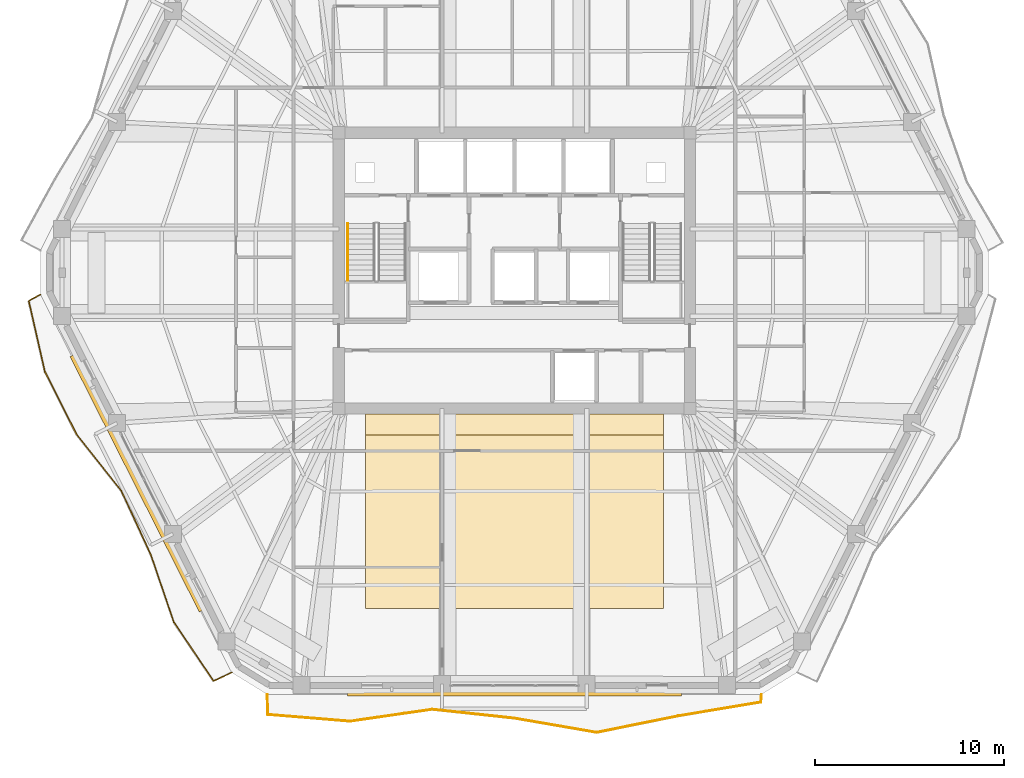
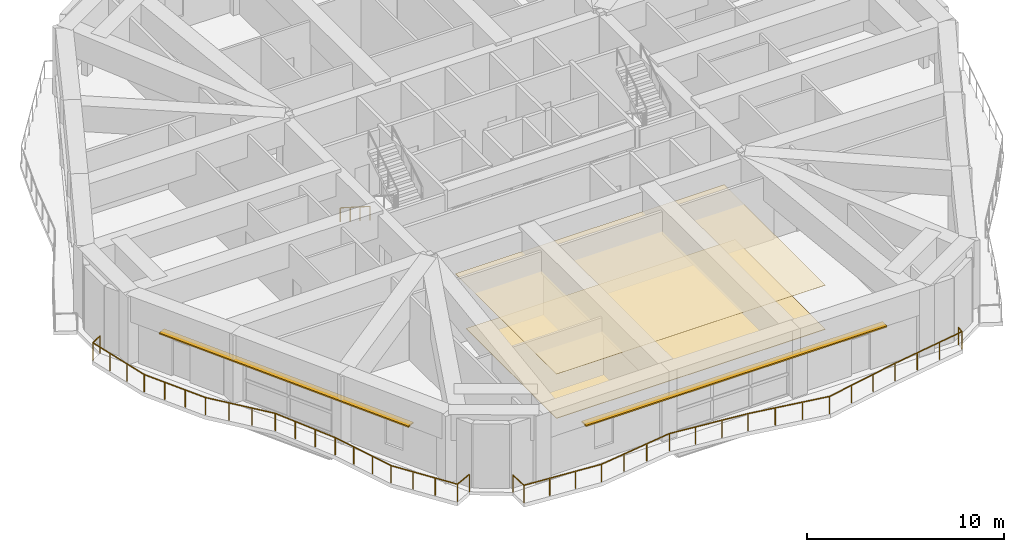
# One storey, part 18 of 20: 3 railings, 2 coverings, 2 shading devices.
"""IFC4 building model written with IfcOpenShell, lengths in metres."""

from ifc_helpers import new_model, si_unit, direction, frame, origin, origin_2d, place, context, subcontext, project, spatial, polyline, rectangle, outline, extrude, material, layer, layer_set, type_object, element, save


model = new_model("IFC4")

# Units and contexts
model_context = context("Model", 3, precision=1e-05, world=origin(), true_north=direction((0.0, 1.0)))
body_context = subcontext(model_context, "Body", "Model", "MODEL_VIEW")
ifc_project = project(units=[si_unit("LENGTHUNIT", "METRE"), si_unit("AREAUNIT", "SQUARE_METRE"), si_unit("VOLUMEUNIT", "CUBIC_METRE"), si_unit("PLANEANGLEUNIT", "RADIAN"), si_unit("MASSUNIT", "GRAM", prefix="KILO")], contexts=[model_context])

# Site, building, storey
site_placement = place(None, origin())
site = spatial("IfcSite", under=ifc_project, at=site_placement, CompositionType="ELEMENT")
building_placement = place(site_placement, origin())
building = spatial("IfcBuilding", under=site, at=building_placement, Name="Cinnabar Lancet Tower", CompositionType="ELEMENT")
storey_placement = place(building_placement, frame((0.0, 0.0, 167.699951171875)))
storey = spatial("IfcBuildingStorey", under=building, at=storey_placement, Name="L44", CompositionType="ELEMENT", Elevation=167.699951171875)

# Coverings
ifc_material_1 = material(Name="Acoustic perforated gypsum ceiling board", Category="finish")
ifc_layer_1 = layer(ifc_material_1, 0.01806640625)
ifc_layer_set_1 = layer_set([ifc_layer_1], Name="Acoustic perforated gypsum ceiling board")
covering_type_1 = type_object("IfcCoveringType", Name="ARC-COV-CEIL-GYP", PredefinedType="CEILING", material=ifc_layer_set_1)
covering_1_placement = place(storey_placement, frame((0.0, 0.0, 2.75)))
element("IfcCovering", 1, at=covering_1_placement, inside=storey, type_object=covering_type_1, Name="L44 Suspended Acoustic Ceiling", PredefinedType="CEILING", context=body_context, shape_type="SweptSolid", body=[
    extrude(outline(polyline([(24.5, 8.0), (40.300048828125, 8.0), (40.300048828125, 18.300048828125), (24.5, 18.300048828125), (24.5, 8.0)])), origin(), (0.0, 0.0, 1.0), 0.01806640625),
])
ifc_material_2 = material(Name="Honed Malaysian granite stone flooring", Category="masonry")
ifc_layer_2 = layer(ifc_material_2, 0.030029296875)
ifc_layer_set_2 = layer_set([ifc_layer_2], Name="Honed Malaysian granite stone flooring")
covering_type_2 = type_object("IfcCoveringType", Name="ARC-COV-FLR-STN", PredefinedType="FLOORING", material=ifc_layer_set_2)
covering_2_placement = place(storey_placement, origin())
element("IfcCovering", 2, at=covering_2_placement, inside=storey, type_object=covering_type_2, Name="L44 Architectural Floor Finish", PredefinedType="FLOORING", context=body_context, shape_type="SweptSolid", body=[
    extrude(outline(polyline([(24.5, 8.0), (40.300048828125, 8.0), (40.300048828125, 17.199951171875), (24.5, 17.199951171875), (24.5, 8.0)])), origin(), (0.0, 0.0, 1.0), 0.030029296875),
])

# Railings
ifc_material_3 = material(Name="Laminated safety glass and bronze stainless steel balustrade", Category="steel")
railing_type_1 = type_object("IfcRailingType", Name="ENV-RLG-BAL-1100", PredefinedType="BALUSTRADE", material=ifc_material_3)
railing_1_placement = place(storey_placement, frame((19.30810546875, 3.449951171875, 0.0)))
element("IfcRailing", 3, at=railing_1_placement, inside=storey, type_object=railing_type_1, Name="L44 Face 1 Wave Balcony Balustrade", PredefinedType="BALUSTRADE", context=body_context, shape_type="SweptSolid", body=[
    extrude(rectangle(XDim=0.048095703125, YDim=0.048095703125, at=origin_2d()), frame((0.0, 0.0, 1.076171875), z_axis=(0.031791701999, -0.999494516085, 0.0), x_axis=(0.999494516085, 0.031791701999, 0.0)), (0.0, 0.0, 1.0), 1.0673828125),
    extrude(rectangle(XDim=0.048095703125, YDim=0.048095703125, at=origin_2d()), frame((0.033935546875, -1.06689453125, 1.076171875), z_axis=(0.996652073742, -0.081759671632, 0.0), x_axis=(0.081759671632, 0.996652073742, 0.0)), (0.0, 0.0, 1.0), 4.36865234375),
    extrude(rectangle(XDim=0.048095703125, YDim=0.048095703125, at=origin_2d()), frame((4.387939453125, -1.424072265625, 1.076171875), z_axis=(0.989653175702, 0.143480283746, 0.0), x_axis=(-0.143480283746, 0.989653175702, 0.0)), (0.0, 0.0, 1.0), 4.3984375),
    extrude(rectangle(XDim=0.048095703125, YDim=0.048095703125, at=origin_2d()), frame((8.740966796875, -0.79296875, 1.076171875), z_axis=(0.994240353079, -0.10717331902, 0.0), x_axis=(0.10717331902, 0.994240353079, 0.0)), (0.0, 0.0, 1.0), 4.3759765625),
    extrude(rectangle(XDim=0.048095703125, YDim=0.048095703125, at=origin_2d()), frame((13.091796875, -1.261962890625, 1.076171875), z_axis=(0.985325130165, -0.170687983953, 0.0), x_axis=(0.170687983953, 0.985325130165, 0.0)), (0.0, 0.0, 1.0), 4.416748046875),
    extrude(rectangle(XDim=0.048095703125, YDim=0.048095703125, at=origin_2d()), frame((17.44384765625, -2.015869140625, 1.076171875), z_axis=(0.980168254894, 0.198167081266, 0.0), x_axis=(-0.198167081266, 0.980168254894, 0.0)), (0.0, 0.0, 1.0), 4.440185546875),
    extrude(rectangle(XDim=0.048095703125, YDim=0.048095703125, at=origin_2d()), frame((21.7958984375, -1.135986328125, 1.076171875), z_axis=(0.986337050863, 0.164739861888, 0.0), x_axis=(-0.164739861888, 0.986337050863, 0.0)), (0.0, 0.0, 1.0), 4.413330078125),
    extrude(rectangle(XDim=0.048095703125, YDim=0.048095703125, at=origin_2d()), frame((26.14892578125, -0.408935546875, 1.076171875), z_axis=(0.085063700681, 0.996375514967, 0.0), x_axis=(-0.996375514967, 0.085063700681, 0.0)), (0.0, 0.0, 1.0), 0.410400390625),
    extrude(rectangle(XDim=0.0419921875, YDim=0.0419921875, at=origin_2d()), origin(), (0.0, 0.0, 1.0), 1.052001953125),
    extrude(rectangle(XDim=0.0419921875, YDim=0.0419921875, at=origin_2d()), frame((0.033935546875, -1.06689453125, 0.0)), (0.0, 0.0, 1.0), 1.052001953125),
    extrude(rectangle(XDim=0.0419921875, YDim=0.0419921875, at=origin_2d()), frame((1.4853515625, -1.18603515625, 0.0)), (0.0, 0.0, 1.0), 1.052001953125),
    extrude(rectangle(XDim=0.0419921875, YDim=0.0419921875, at=origin_2d()), frame((2.9365234375, -1.304931640625, 0.0)), (0.0, 0.0, 1.0), 1.052001953125),
    extrude(rectangle(XDim=0.0419921875, YDim=0.0419921875, at=origin_2d()), frame((4.387939453125, -1.424072265625, 0.0)), (0.0, 0.0, 1.0), 1.052001953125),
    extrude(rectangle(XDim=0.0419921875, YDim=0.0419921875, at=origin_2d()), frame((5.8388671875, -1.213623046875, 0.0)), (0.0, 0.0, 1.0), 1.052001953125),
    extrude(rectangle(XDim=0.0419921875, YDim=0.0419921875, at=origin_2d()), frame((7.2900390625, -1.00341796875, 0.0)), (0.0, 0.0, 1.0), 1.052001953125),
    extrude(rectangle(XDim=0.0419921875, YDim=0.0419921875, at=origin_2d()), frame((8.740966796875, -0.79296875, 0.0)), (0.0, 0.0, 1.0), 1.052001953125),
    extrude(rectangle(XDim=0.0419921875, YDim=0.0419921875, at=origin_2d()), frame((10.191162109375, -0.94921875, 0.0)), (0.0, 0.0, 1.0), 1.052001953125),
    extrude(rectangle(XDim=0.0419921875, YDim=0.0419921875, at=origin_2d()), frame((11.6416015625, -1.105712890625, 0.0)), (0.0, 0.0, 1.0), 1.052001953125),
    extrude(rectangle(XDim=0.0419921875, YDim=0.0419921875, at=origin_2d()), frame((13.091796875, -1.261962890625, 0.0)), (0.0, 0.0, 1.0), 1.052001953125),
    extrude(rectangle(XDim=0.0419921875, YDim=0.0419921875, at=origin_2d()), frame((14.54248046875, -1.51318359375, 0.0)), (0.0, 0.0, 1.0), 1.052001953125),
    extrude(rectangle(XDim=0.0419921875, YDim=0.0419921875, at=origin_2d()), frame((15.9931640625, -1.7646484375, 0.0)), (0.0, 0.0, 1.0), 1.052001953125),
    extrude(rectangle(XDim=0.0419921875, YDim=0.0419921875, at=origin_2d()), frame((17.44384765625, -2.015869140625, 0.0)), (0.0, 0.0, 1.0), 1.052001953125),
    extrude(rectangle(XDim=0.0419921875, YDim=0.0419921875, at=origin_2d()), frame((18.89453125, -1.72265625, 0.0)), (0.0, 0.0, 1.0), 1.052001953125),
    extrude(rectangle(XDim=0.0419921875, YDim=0.0419921875, at=origin_2d()), frame((20.34521484375, -1.42919921875, 0.0)), (0.0, 0.0, 1.0), 1.052001953125),
    extrude(rectangle(XDim=0.0419921875, YDim=0.0419921875, at=origin_2d()), frame((21.7958984375, -1.135986328125, 0.0)), (0.0, 0.0, 1.0), 1.052001953125),
    extrude(rectangle(XDim=0.0419921875, YDim=0.0419921875, at=origin_2d()), frame((23.246826171875, -0.8935546875, 0.0)), (0.0, 0.0, 1.0), 1.052001953125),
    extrude(rectangle(XDim=0.0419921875, YDim=0.0419921875, at=origin_2d()), frame((24.697998046875, -0.6513671875, 0.0)), (0.0, 0.0, 1.0), 1.052001953125),
    extrude(rectangle(XDim=0.0419921875, YDim=0.0419921875, at=origin_2d()), frame((26.14892578125, -0.408935546875, 0.0)), (0.0, 0.0, 1.0), 1.052001953125),
    extrude(rectangle(XDim=0.0419921875, YDim=0.0419921875, at=origin_2d()), frame((26.183837890625, 0.0, 0.0)), (0.0, 0.0, 1.0), 1.052001953125),
])
railing_2_placement = place(storey_placement, frame((7.287109375, 24.639892578125, 0.0)))
element("IfcRailing", 4, at=railing_2_placement, inside=storey, type_object=railing_type_1, Name="L44 Face 6 Wave Balcony Balustrade", PredefinedType="BALUSTRADE", context=body_context, shape_type="SweptSolid", body=[
    extrude(rectangle(XDim=0.048095703125, YDim=0.048095703125, at=origin_2d()), frame((0.0, 0.0, 1.076171875), z_axis=(-0.87348582393, -0.486849581897, 0.0), x_axis=(0.486849581897, -0.87348582393, 0.0)), (0.0, 0.0, 1.0), 0.7041015625),
    extrude(rectangle(XDim=0.048095703125, YDim=0.048095703125, at=origin_2d()), frame((-0.614990234375, -0.3427734375, 1.076171875), z_axis=(0.222043720715, -0.975036710125, 0.0), x_axis=(0.975036710125, 0.222043720715, 0.0)), (0.0, 0.0, 1.0), 3.844970703125),
    extrude(rectangle(XDim=0.048095703125, YDim=0.048095703125, at=origin_2d()), frame((0.23876953125, -4.091796875, 1.076171875), z_axis=(0.4509775861, -0.892535274841, 0.0), x_axis=(0.892535274841, 0.4509775861, 0.0)), (0.0, 0.0, 1.0), 3.732177734375),
    extrude(rectangle(XDim=0.048095703125, YDim=0.048095703125, at=origin_2d()), frame((1.921875, -7.4228515625, 1.076171875), z_axis=(0.621868265716, -0.783121867972, 0.0), x_axis=(0.783121867972, 0.621868265716, 0.0)), (0.0, 0.0, 1.0), 3.807861328125),
    extrude(rectangle(XDim=0.048095703125, YDim=0.048095703125, at=origin_2d()), frame((4.289794921875, -10.40478515625, 1.076171875), z_axis=(0.419054029782, -0.907961298803, 0.0), x_axis=(0.907961298803, 0.419054029782, 0.0)), (0.0, 0.0, 1.0), 3.732666015625),
    extrude(rectangle(XDim=0.048095703125, YDim=0.048095703125, at=origin_2d()), frame((5.85400390625, -13.7939453125, 1.076171875), z_axis=(0.322787331152, -0.946471520357, 0.0), x_axis=(0.946471520357, 0.322787331152, 0.0)), (0.0, 0.0, 1.0), 3.769775390625),
    extrude(rectangle(XDim=0.048095703125, YDim=0.048095703125, at=origin_2d()), frame((7.07080078125, -17.36181640625, 1.076171875), z_axis=(0.559035847773, -0.829143486319, 0.0), x_axis=(0.829143486319, 0.559035847773, 0.0)), (0.0, 0.0, 1.0), 3.761962890625),
    extrude(rectangle(XDim=0.048095703125, YDim=0.048095703125, at=origin_2d()), frame((9.173828125, -20.48095703125, 1.076171875), z_axis=(0.905027245981, 0.425353598823, 0.0), x_axis=(-0.425353598823, 0.905027245981, 0.0)), (0.0, 0.0, 1.0), 1.060791015625),
    extrude(rectangle(XDim=0.0419921875, YDim=0.0419921875, at=origin_2d()), origin(), (0.0, 0.0, 1.0), 1.052001953125),
    extrude(rectangle(XDim=0.0419921875, YDim=0.0419921875, at=origin_2d()), frame((-0.614990234375, -0.3427734375, 0.0)), (0.0, 0.0, 1.0), 1.052001953125),
    extrude(rectangle(XDim=0.0419921875, YDim=0.0419921875, at=origin_2d()), frame((-0.330322265625, -1.592529296875, 0.0)), (0.0, 0.0, 1.0), 1.052001953125),
    extrude(rectangle(XDim=0.0419921875, YDim=0.0419921875, at=origin_2d()), frame((-0.0458984375, -2.842041015625, 0.0)), (0.0, 0.0, 1.0), 1.052001953125),
    extrude(rectangle(XDim=0.0419921875, YDim=0.0419921875, at=origin_2d()), frame((0.23876953125, -4.091796875, 0.0)), (0.0, 0.0, 1.0), 1.052001953125),
    extrude(rectangle(XDim=0.0419921875, YDim=0.0419921875, at=origin_2d()), frame((0.7998046875, -5.2021484375, 0.0)), (0.0, 0.0, 1.0), 1.052001953125),
    extrude(rectangle(XDim=0.0419921875, YDim=0.0419921875, at=origin_2d()), frame((1.36083984375, -6.3125, 0.0)), (0.0, 0.0, 1.0), 1.052001953125),
    extrude(rectangle(XDim=0.0419921875, YDim=0.0419921875, at=origin_2d()), frame((1.921875, -7.4228515625, 0.0)), (0.0, 0.0, 1.0), 1.052001953125),
    extrude(rectangle(XDim=0.0419921875, YDim=0.0419921875, at=origin_2d()), frame((2.711181640625, -8.416748046875, 0.0)), (0.0, 0.0, 1.0), 1.052001953125),
    extrude(rectangle(XDim=0.0419921875, YDim=0.0419921875, at=origin_2d()), frame((3.50048828125, -9.410888671875, 0.0)), (0.0, 0.0, 1.0), 1.052001953125),
    extrude(rectangle(XDim=0.0419921875, YDim=0.0419921875, at=origin_2d()), frame((4.289794921875, -10.40478515625, 0.0)), (0.0, 0.0, 1.0), 1.052001953125),
    extrude(rectangle(XDim=0.0419921875, YDim=0.0419921875, at=origin_2d()), frame((4.811279296875, -11.534423828125, 0.0)), (0.0, 0.0, 1.0), 1.052001953125),
    extrude(rectangle(XDim=0.0419921875, YDim=0.0419921875, at=origin_2d()), frame((5.33251953125, -12.664306640625, 0.0)), (0.0, 0.0, 1.0), 1.052001953125),
    extrude(rectangle(XDim=0.0419921875, YDim=0.0419921875, at=origin_2d()), frame((5.85400390625, -13.7939453125, 0.0)), (0.0, 0.0, 1.0), 1.052001953125),
    extrude(rectangle(XDim=0.0419921875, YDim=0.0419921875, at=origin_2d()), frame((6.259521484375, -14.983154296875, 0.0)), (0.0, 0.0, 1.0), 1.052001953125),
    extrude(rectangle(XDim=0.0419921875, YDim=0.0419921875, at=origin_2d()), frame((6.665283203125, -16.172607421875, 0.0)), (0.0, 0.0, 1.0), 1.052001953125),
    extrude(rectangle(XDim=0.0419921875, YDim=0.0419921875, at=origin_2d()), frame((7.07080078125, -17.36181640625, 0.0)), (0.0, 0.0, 1.0), 1.052001953125),
    extrude(rectangle(XDim=0.0419921875, YDim=0.0419921875, at=origin_2d()), frame((7.771728515625, -18.401611328125, 0.0)), (0.0, 0.0, 1.0), 1.052001953125),
    extrude(rectangle(XDim=0.0419921875, YDim=0.0419921875, at=origin_2d()), frame((8.472900390625, -19.441162109375, 0.0)), (0.0, 0.0, 1.0), 1.052001953125),
    extrude(rectangle(XDim=0.0419921875, YDim=0.0419921875, at=origin_2d()), frame((9.173828125, -20.48095703125, 0.0)), (0.0, 0.0, 1.0), 1.052001953125),
    extrude(rectangle(XDim=0.0419921875, YDim=0.0419921875, at=origin_2d()), frame((10.1337890625, -20.02978515625, 0.0)), (0.0, 0.0, 1.0), 1.052001953125),
])

# Shading devices
ifc_material_4 = material(Name="Pale limestone architectural aluminium sunshade", Category="masonry")
ifc_layer_3 = layer(ifc_material_4, 0.080078125)
ifc_layer_set_3 = layer_set([ifc_layer_3], Name="Pale limestone architectural aluminium sunshade")
shading_device_type = type_object("IfcShadingDeviceType", Name="ENV-SHD-LVR-450", PredefinedType="JALOUSIE", material=ifc_layer_set_3)
shading_device_1_placement = place(storey_placement, frame((32.39990234375, 3.590087890625, 2.639892578125), z_axis=(0.0, 0.0, 1.0), x_axis=(1.0, 0.0, 0.0)))
element("IfcShadingDevice", 5, at=shading_device_1_placement, inside=storey, type_object=shading_device_type, Name="L44 Face 1 Horizontal Sunshade Canopy", PredefinedType="JALOUSIE", context=body_context, shape_type="SweptSolid", body=[
    extrude(rectangle(XDim=17.679931640625, YDim=0.449951171875, at=origin_2d()), origin(), (0.0, 0.0, 1.0), 0.080078125),
])
shading_device_2_placement = place(storey_placement, frame((12.48095703125, 14.68603515625, 2.639892578125), z_axis=(0.0, 0.0, 1.0), x_axis=(0.451469426816, -0.892286588855, 0.0)))
element("IfcShadingDevice", 6, at=shading_device_2_placement, inside=storey, type_object=shading_device_type, Name="L44 Face 6 Horizontal Sunshade Canopy", PredefinedType="JALOUSIE", context=body_context, shape_type="SweptSolid", body=[
    extrude(rectangle(XDim=15.154052734375, YDim=0.449951171875, at=origin_2d()), origin(), (0.0, 0.0, 1.0), 0.080078125),
])

# Railing
ifc_material_5 = material(Name="Brushed stainless steel handrail", Category="steel")
railing_type_2 = type_object("IfcRailingType", Name="HANDRAIL-STAIR", PredefinedType="HANDRAIL", material=ifc_material_5)
railing_3_placement = place(storey_placement, frame((23.574951171875, 28.39990234375, 0.175048828125)))
element("IfcRailing", 7, at=railing_3_placement, inside=storey, type_object=railing_type_2, Name="L44 ST-1 stair handrail 1", PredefinedType="HANDRAIL", context=body_context, shape_type="SweptSolid", body=[
    extrude(rectangle(XDim=0.048095703125, YDim=0.048095703125, at=origin_2d()), frame((0.0, 0.0, 0.8759765625), z_axis=(0.0, -0.84364746871, 0.536897521451), x_axis=(1.0, 0.0, 0.0)), (0.0, 0.0, 1.0), 3.58544921875),
    extrude(rectangle(XDim=0.0419921875, YDim=0.0419921875, at=origin_2d()), origin(), (0.0, 0.0, 1.0), 0.851806640625),
    extrude(rectangle(XDim=0.0419921875, YDim=0.0419921875, at=origin_2d()), frame((0.0, -1.00830078125, 0.6416015625)), (0.0, 0.0, 1.0), 0.851806640625),
    extrude(rectangle(XDim=0.0419921875, YDim=0.0419921875, at=origin_2d()), frame((0.0, -2.0166015625, 1.283447265625)), (0.0, 0.0, 1.0), 0.851806640625),
    extrude(rectangle(XDim=0.0419921875, YDim=0.0419921875, at=origin_2d()), frame((0.0, -3.02490234375, 1.925048828125)), (0.0, 0.0, 1.0), 0.851806640625),
])

save(model, "model.ifc")
